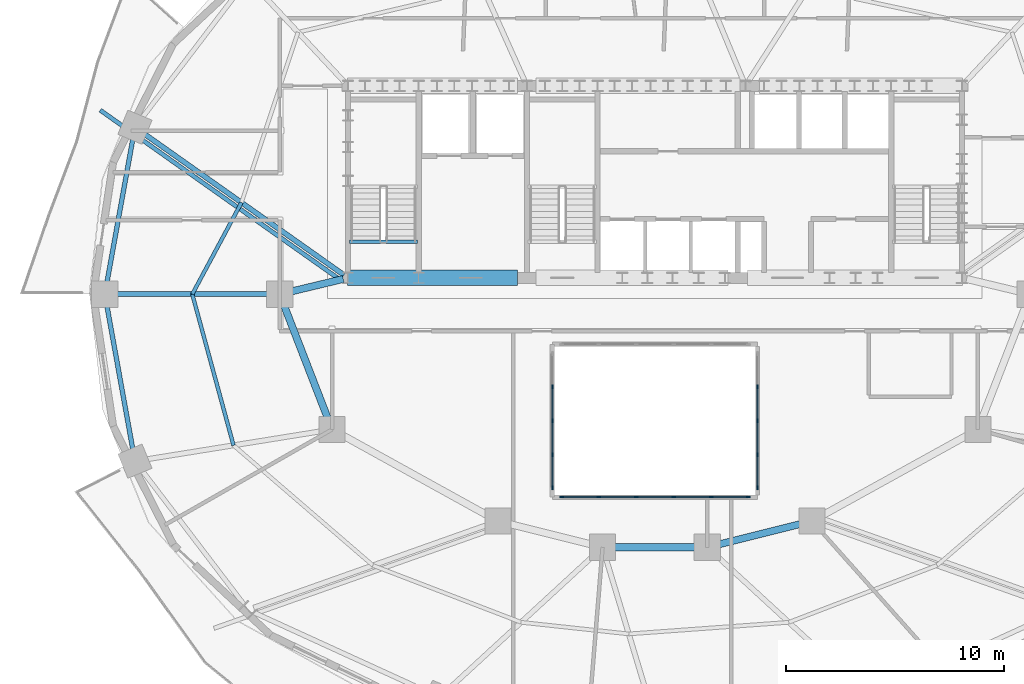
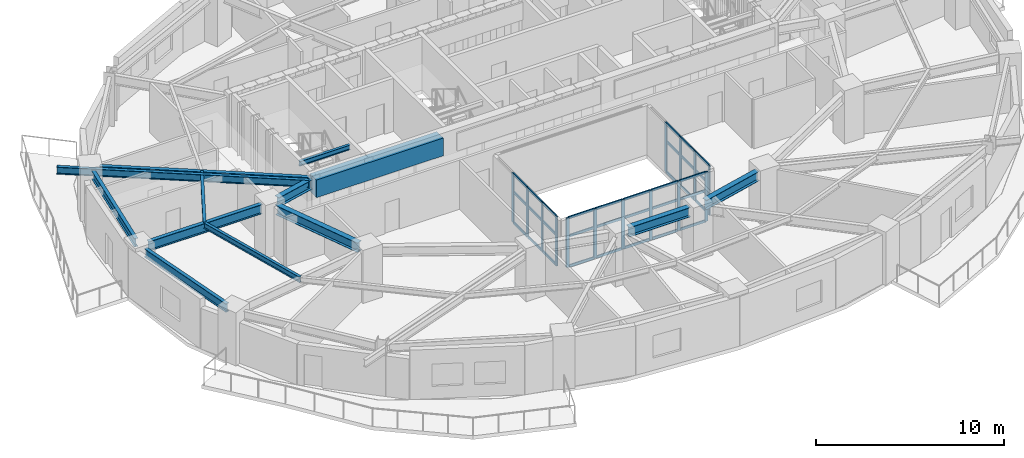
# One storey, part 2 of 13: 47 members, 13 beams, 3 elements without a shape of their own.
"""IFC4 building model written with IfcOpenShell, lengths in metres."""

from ifc_helpers import new_model, si_unit, direction, frame, origin, origin_2d, place, context, subcontext, project, spatial, rectangle, i_section, extrude, material, material_profile, profile_set, type_object, element, aggregate, save


model = new_model("IFC4")

# Units and contexts
model_context = context("Model", 3, precision=1e-05, world=origin(), true_north=direction((0.0, 1.0)))
body_context = subcontext(model_context, "Body", "Model", "MODEL_VIEW")
ifc_project = project(units=[si_unit("LENGTHUNIT", "METRE"), si_unit("AREAUNIT", "SQUARE_METRE"), si_unit("VOLUMEUNIT", "CUBIC_METRE"), si_unit("PLANEANGLEUNIT", "RADIAN"), si_unit("MASSUNIT", "GRAM", prefix="KILO")], contexts=[model_context])

# Site, building, storey
site_placement = place(None, origin())
site = spatial("IfcSite", under=ifc_project, at=site_placement, CompositionType="ELEMENT")
building_placement = place(site_placement, origin())
building = spatial("IfcBuilding", under=site, at=building_placement, Name="Haldorwick Loom Tower", CompositionType="ELEMENT")
storey_placement = place(building_placement, frame((0.0, 0.0, 142.550048828125)))
storey = spatial("IfcBuildingStorey", under=building, at=storey_placement, Name="L38", CompositionType="ELEMENT", Elevation=142.550048828125)

# Curtain wall, members
ifc_material_1 = material(Name="Thermally Broken Anodized Aluminium Curtain Wall Framing", Category="aluminium")
curtain_wall_type = type_object("IfcCurtainWallType", Name="ARC-CW-03", PredefinedType="NOTDEFINED", material=ifc_material_1)
curtain_wall_1_placement = place(storey_placement, origin())
curtain_wall_1 = element("IfcCurtainWall", 1, at=curtain_wall_1_placement, inside=storey, type_object=curtain_wall_type, Name="L38 Atrium Glazed Screen S", PredefinedType="NOTDEFINED")
ifc_material_profile_1 = material_profile(ifc_material_1, rectangle(XDim=0.06591796875, YDim=0.18505859375, at=origin_2d()), Name="ALU_MUL_66X185", Category="aluminium")
ifc_profile_set_1 = profile_set([ifc_material_profile_1], Name="Thermally Broken Anodized Aluminium Curtain Wall Framing")
member_type_1 = type_object("IfcMemberType", Name="ARC-CWM-03", PredefinedType="MULLION", material=ifc_profile_set_1)
member_1_placement = place(storey_placement, frame((40.26708984375, 16.699951171875, 0.0), z_axis=(0.0, 0.0, 1.0), x_axis=(0.0, -1.0, 0.0)))
member_1 = element("IfcMember", 2, at=member_1_placement, type_object=member_type_1, Name="CW-03 mullion 1", PredefinedType="MULLION", context=body_context, shape_type="SweptSolid", body=[
    extrude(rectangle(XDim=0.06591796875, YDim=0.18505859375, at=origin_2d()), origin(), (0.0, 0.0, 1.0), 3.2099609375),
])
member_2_placement = place(storey_placement, frame((38.580078125, 16.699951171875, 0.0), z_axis=(0.0, 0.0, 1.0), x_axis=(0.0, -1.0, 0.0)))
member_2 = element("IfcMember", 3, at=member_2_placement, type_object=member_type_1, Name="CW-03 mullion 2", PredefinedType="MULLION", context=body_context, shape_type="SweptSolid", body=[
    extrude(rectangle(XDim=0.06591796875, YDim=0.18505859375, at=origin_2d()), origin(), (0.0, 0.0, 1.0), 3.2099609375),
])
member_3_placement = place(storey_placement, frame((36.860107421875, 16.699951171875, 0.0), z_axis=(0.0, 0.0, 1.0), x_axis=(0.0, -1.0, 0.0)))
member_3 = element("IfcMember", 4, at=member_3_placement, type_object=member_type_1, Name="CW-03 mullion 3", PredefinedType="MULLION", context=body_context, shape_type="SweptSolid", body=[
    extrude(rectangle(XDim=0.06591796875, YDim=0.18505859375, at=origin_2d()), origin(), (0.0, 0.0, 1.0), 3.2099609375),
])
member_4_placement = place(storey_placement, frame((35.139892578125, 16.699951171875, 0.0), z_axis=(0.0, 0.0, 1.0), x_axis=(0.0, -1.0, 0.0)))
member_4 = element("IfcMember", 5, at=member_4_placement, type_object=member_type_1, Name="CW-03 mullion 4", PredefinedType="MULLION", context=body_context, shape_type="SweptSolid", body=[
    extrude(rectangle(XDim=0.06591796875, YDim=0.18505859375, at=origin_2d()), origin(), (0.0, 0.0, 1.0), 3.2099609375),
])
member_5_placement = place(storey_placement, frame((33.419921875, 16.699951171875, 0.0), z_axis=(0.0, 0.0, 1.0), x_axis=(0.0, -1.0, 0.0)))
member_5 = element("IfcMember", 6, at=member_5_placement, type_object=member_type_1, Name="CW-03 mullion 5", PredefinedType="MULLION", context=body_context, shape_type="SweptSolid", body=[
    extrude(rectangle(XDim=0.06591796875, YDim=0.18505859375, at=origin_2d()), origin(), (0.0, 0.0, 1.0), 3.2099609375),
])
member_6_placement = place(storey_placement, frame((31.73291015625, 16.699951171875, 0.0), z_axis=(0.0, 0.0, 1.0), x_axis=(0.0, -1.0, 0.0)))
member_6 = element("IfcMember", 7, at=member_6_placement, type_object=member_type_1, Name="CW-03 mullion 6", PredefinedType="MULLION", context=body_context, shape_type="SweptSolid", body=[
    extrude(rectangle(XDim=0.06591796875, YDim=0.18505859375, at=origin_2d()), origin(), (0.0, 0.0, 1.0), 3.2099609375),
])

curtain_wall_2_placement = place(storey_placement, origin())
curtain_wall_2 = element("IfcCurtainWall", 8, at=curtain_wall_2_placement, inside=storey, type_object=curtain_wall_type, Name="L38 Atrium Glazed Screen W", PredefinedType="NOTDEFINED")
member_7_placement = place(storey_placement, frame((31.300048828125, 17.133056640625, 0.0), z_axis=(0.0, 0.0, 1.0), x_axis=(-1.0, 0.0, 0.0)))
member_7 = element("IfcMember", 9, at=member_7_placement, type_object=member_type_1, Name="CW-03 mullion 1", PredefinedType="MULLION", context=body_context, shape_type="SweptSolid", body=[
    extrude(rectangle(XDim=0.06591796875, YDim=0.18505859375, at=origin_2d()), origin(), (0.0, 0.0, 1.0), 3.2099609375),
])
member_8_placement = place(storey_placement, frame((31.300048828125, 18.64990234375, 0.0), z_axis=(0.0, 0.0, 1.0), x_axis=(-1.0, 0.0, 0.0)))
member_8 = element("IfcMember", 10, at=member_8_placement, type_object=member_type_1, Name="CW-03 mullion 2", PredefinedType="MULLION", context=body_context, shape_type="SweptSolid", body=[
    extrude(rectangle(XDim=0.06591796875, YDim=0.18505859375, at=origin_2d()), origin(), (0.0, 0.0, 1.0), 3.2099609375),
])
member_9_placement = place(storey_placement, frame((31.300048828125, 20.199951171875, 0.0), z_axis=(0.0, 0.0, 1.0), x_axis=(-1.0, 0.0, 0.0)))
member_9 = element("IfcMember", 11, at=member_9_placement, type_object=member_type_1, Name="CW-03 mullion 3", PredefinedType="MULLION", context=body_context, shape_type="SweptSolid", body=[
    extrude(rectangle(XDim=0.06591796875, YDim=0.18505859375, at=origin_2d()), origin(), (0.0, 0.0, 1.0), 3.2099609375),
])
member_10_placement = place(storey_placement, frame((31.300048828125, 21.75, 0.0), z_axis=(0.0, 0.0, 1.0), x_axis=(-1.0, 0.0, 0.0)))
member_10 = element("IfcMember", 12, at=member_10_placement, type_object=member_type_1, Name="CW-03 mullion 4", PredefinedType="MULLION", context=body_context, shape_type="SweptSolid", body=[
    extrude(rectangle(XDim=0.06591796875, YDim=0.18505859375, at=origin_2d()), origin(), (0.0, 0.0, 1.0), 3.2099609375),
])

curtain_wall_3_placement = place(storey_placement, origin())
curtain_wall_3 = element("IfcCurtainWall", 13, at=curtain_wall_3_placement, inside=storey, type_object=curtain_wall_type, Name="L38 Atrium Glazed Screen E", PredefinedType="NOTDEFINED")
member_11_placement = place(storey_placement, frame((40.699951171875, 21.75, 0.0), z_axis=(0.0, 0.0, 1.0), x_axis=(1.0, 0.0, 0.0)))
member_11 = element("IfcMember", 14, at=member_11_placement, type_object=member_type_1, Name="CW-03 mullion 2", PredefinedType="MULLION", context=body_context, shape_type="SweptSolid", body=[
    extrude(rectangle(XDim=0.06591796875, YDim=0.18505859375, at=origin_2d()), origin(), (0.0, 0.0, 1.0), 3.2099609375),
])
member_12_placement = place(storey_placement, frame((40.699951171875, 20.199951171875, 0.0), z_axis=(0.0, 0.0, 1.0), x_axis=(1.0, 0.0, 0.0)))
member_12 = element("IfcMember", 15, at=member_12_placement, type_object=member_type_1, Name="CW-03 mullion 3", PredefinedType="MULLION", context=body_context, shape_type="SweptSolid", body=[
    extrude(rectangle(XDim=0.06591796875, YDim=0.18505859375, at=origin_2d()), origin(), (0.0, 0.0, 1.0), 3.2099609375),
])
member_13_placement = place(storey_placement, frame((40.699951171875, 18.64990234375, 0.0), z_axis=(0.0, 0.0, 1.0), x_axis=(1.0, 0.0, 0.0)))
member_13 = element("IfcMember", 16, at=member_13_placement, type_object=member_type_1, Name="CW-03 mullion 4", PredefinedType="MULLION", context=body_context, shape_type="SweptSolid", body=[
    extrude(rectangle(XDim=0.06591796875, YDim=0.18505859375, at=origin_2d()), origin(), (0.0, 0.0, 1.0), 3.2099609375),
])
member_14_placement = place(storey_placement, frame((40.699951171875, 17.133056640625, 0.0), z_axis=(0.0, 0.0, 1.0), x_axis=(1.0, 0.0, 0.0)))
member_14 = element("IfcMember", 17, at=member_14_placement, type_object=member_type_1, Name="CW-03 mullion 5", PredefinedType="MULLION", context=body_context, shape_type="SweptSolid", body=[
    extrude(rectangle(XDim=0.06591796875, YDim=0.18505859375, at=origin_2d()), origin(), (0.0, 0.0, 1.0), 3.2099609375),
])

# Member
ifc_material_profile_2 = material_profile(ifc_material_1, rectangle(XDim=0.06591796875, YDim=0.1650390625, at=origin_2d()), Name="ALU_TRN_66X165", Category="aluminium")
ifc_profile_set_2 = profile_set([ifc_material_profile_2], Name="Thermally Broken Anodized Aluminium Curtain Wall Framing")
member_type_2 = type_object("IfcMemberType", Name="ARC-CWT-03", PredefinedType="USERDEFINED", material=ifc_profile_set_2)
member_15_placement = place(storey_placement, frame((40.23388671875, 16.699951171875, 0.032958984375), z_axis=(-1.0, 0.0, 0.0), x_axis=(0.0, -1.0, 0.0)))
member_15 = element("IfcMember", 18, at=member_15_placement, type_object=member_type_2, Name="CW-03 transom 1.1", ObjectType="TRANSOM", PredefinedType="USERDEFINED", context=body_context, shape_type="SweptSolid", body=[
    extrude(rectangle(XDim=0.06591796875, YDim=0.1650390625, at=origin_2d()), origin(), (0.0, 0.0, 1.0), 1.620849609375),
])

member_16_placement = place(storey_placement, frame((40.23388671875, 16.699951171875, 2.0), z_axis=(-1.0, 0.0, 0.0), x_axis=(0.0, -1.0, 0.0)))
member_16 = element("IfcMember", 19, at=member_16_placement, type_object=member_type_2, Name="CW-03 transom 1.2", ObjectType="TRANSOM", PredefinedType="USERDEFINED", context=body_context, shape_type="SweptSolid", body=[
    extrude(rectangle(XDim=0.06591796875, YDim=0.1650390625, at=origin_2d()), origin(), (0.0, 0.0, 1.0), 1.620849609375),
])

member_17_placement = place(storey_placement, frame((40.23388671875, 16.699951171875, 3.177001953125), z_axis=(-1.0, 0.0, 0.0), x_axis=(0.0, -1.0, 0.0)))
member_17 = element("IfcMember", 20, at=member_17_placement, type_object=member_type_2, Name="CW-03 transom 1.3", ObjectType="TRANSOM", PredefinedType="USERDEFINED", context=body_context, shape_type="SweptSolid", body=[
    extrude(rectangle(XDim=0.06591796875, YDim=0.1650390625, at=origin_2d()), origin(), (0.0, 0.0, 1.0), 1.620849609375),
])

member_18_placement = place(storey_placement, frame((38.547119140625, 16.699951171875, 0.032958984375), z_axis=(-1.0, 0.0, 0.0), x_axis=(0.0, -1.0, 0.0)))
member_18 = element("IfcMember", 21, at=member_18_placement, type_object=member_type_2, Name="CW-03 transom 2.1", ObjectType="TRANSOM", PredefinedType="USERDEFINED", context=body_context, shape_type="SweptSolid", body=[
    extrude(rectangle(XDim=0.06591796875, YDim=0.1650390625, at=origin_2d()), origin(), (0.0, 0.0, 1.0), 1.654052734375),
])

member_19_placement = place(storey_placement, frame((38.547119140625, 16.699951171875, 2.0), z_axis=(-1.0, 0.0, 0.0), x_axis=(0.0, -1.0, 0.0)))
member_19 = element("IfcMember", 22, at=member_19_placement, type_object=member_type_2, Name="CW-03 transom 2.2", ObjectType="TRANSOM", PredefinedType="USERDEFINED", context=body_context, shape_type="SweptSolid", body=[
    extrude(rectangle(XDim=0.06591796875, YDim=0.1650390625, at=origin_2d()), origin(), (0.0, 0.0, 1.0), 1.654052734375),
])

member_20_placement = place(storey_placement, frame((38.547119140625, 16.699951171875, 3.177001953125), z_axis=(-1.0, 0.0, 0.0), x_axis=(0.0, -1.0, 0.0)))
member_20 = element("IfcMember", 23, at=member_20_placement, type_object=member_type_2, Name="CW-03 transom 2.3", ObjectType="TRANSOM", PredefinedType="USERDEFINED", context=body_context, shape_type="SweptSolid", body=[
    extrude(rectangle(XDim=0.06591796875, YDim=0.1650390625, at=origin_2d()), origin(), (0.0, 0.0, 1.0), 1.654052734375),
])

member_21_placement = place(storey_placement, frame((36.826904296875, 16.699951171875, 0.032958984375), z_axis=(-1.0, 0.0, 0.0), x_axis=(0.0, -1.0, 0.0)))
member_21 = element("IfcMember", 24, at=member_21_placement, type_object=member_type_2, Name="CW-03 transom 3.1", ObjectType="TRANSOM", PredefinedType="USERDEFINED", context=body_context, shape_type="SweptSolid", body=[
    extrude(rectangle(XDim=0.06591796875, YDim=0.1650390625, at=origin_2d()), origin(), (0.0, 0.0, 1.0), 1.65380859375),
])

member_22_placement = place(storey_placement, frame((36.826904296875, 16.699951171875, 2.0), z_axis=(-1.0, 0.0, 0.0), x_axis=(0.0, -1.0, 0.0)))
member_22 = element("IfcMember", 25, at=member_22_placement, type_object=member_type_2, Name="CW-03 transom 3.2", ObjectType="TRANSOM", PredefinedType="USERDEFINED", context=body_context, shape_type="SweptSolid", body=[
    extrude(rectangle(XDim=0.06591796875, YDim=0.1650390625, at=origin_2d()), origin(), (0.0, 0.0, 1.0), 1.65380859375),
])

member_23_placement = place(storey_placement, frame((36.826904296875, 16.699951171875, 3.177001953125), z_axis=(-1.0, 0.0, 0.0), x_axis=(0.0, -1.0, 0.0)))
member_23 = element("IfcMember", 26, at=member_23_placement, type_object=member_type_2, Name="CW-03 transom 3.3", ObjectType="TRANSOM", PredefinedType="USERDEFINED", context=body_context, shape_type="SweptSolid", body=[
    extrude(rectangle(XDim=0.06591796875, YDim=0.1650390625, at=origin_2d()), origin(), (0.0, 0.0, 1.0), 1.65380859375),
])

member_24_placement = place(storey_placement, frame((35.10693359375, 16.699951171875, 0.032958984375), z_axis=(-1.0, 0.0, 0.0), x_axis=(0.0, -1.0, 0.0)))
member_24 = element("IfcMember", 27, at=member_24_placement, type_object=member_type_2, Name="CW-03 transom 4.1", ObjectType="TRANSOM", PredefinedType="USERDEFINED", context=body_context, shape_type="SweptSolid", body=[
    extrude(rectangle(XDim=0.06591796875, YDim=0.1650390625, at=origin_2d()), origin(), (0.0, 0.0, 1.0), 1.654052734375),
])

member_25_placement = place(storey_placement, frame((35.10693359375, 16.699951171875, 2.0), z_axis=(-1.0, 0.0, 0.0), x_axis=(0.0, -1.0, 0.0)))
member_25 = element("IfcMember", 28, at=member_25_placement, type_object=member_type_2, Name="CW-03 transom 4.2", ObjectType="TRANSOM", PredefinedType="USERDEFINED", context=body_context, shape_type="SweptSolid", body=[
    extrude(rectangle(XDim=0.06591796875, YDim=0.1650390625, at=origin_2d()), origin(), (0.0, 0.0, 1.0), 1.654052734375),
])

member_26_placement = place(storey_placement, frame((35.10693359375, 16.699951171875, 3.177001953125), z_axis=(-1.0, 0.0, 0.0), x_axis=(0.0, -1.0, 0.0)))
member_26 = element("IfcMember", 29, at=member_26_placement, type_object=member_type_2, Name="CW-03 transom 4.3", ObjectType="TRANSOM", PredefinedType="USERDEFINED", context=body_context, shape_type="SweptSolid", body=[
    extrude(rectangle(XDim=0.06591796875, YDim=0.1650390625, at=origin_2d()), origin(), (0.0, 0.0, 1.0), 1.654052734375),
])

member_27_placement = place(storey_placement, frame((33.386962890625, 16.699951171875, 0.032958984375), z_axis=(-1.0, 0.0, 0.0), x_axis=(0.0, -1.0, 0.0)))
member_27 = element("IfcMember", 30, at=member_27_placement, type_object=member_type_2, Name="CW-03 transom 5.1", ObjectType="TRANSOM", PredefinedType="USERDEFINED", context=body_context, shape_type="SweptSolid", body=[
    extrude(rectangle(XDim=0.06591796875, YDim=0.1650390625, at=origin_2d()), origin(), (0.0, 0.0, 1.0), 1.620849609375),
])

member_28_placement = place(storey_placement, frame((33.386962890625, 16.699951171875, 2.0), z_axis=(-1.0, 0.0, 0.0), x_axis=(0.0, -1.0, 0.0)))
member_28 = element("IfcMember", 31, at=member_28_placement, type_object=member_type_2, Name="CW-03 transom 5.2", ObjectType="TRANSOM", PredefinedType="USERDEFINED", context=body_context, shape_type="SweptSolid", body=[
    extrude(rectangle(XDim=0.06591796875, YDim=0.1650390625, at=origin_2d()), origin(), (0.0, 0.0, 1.0), 1.620849609375),
])

member_29_placement = place(storey_placement, frame((33.386962890625, 16.699951171875, 3.177001953125), z_axis=(-1.0, 0.0, 0.0), x_axis=(0.0, -1.0, 0.0)))
member_29 = element("IfcMember", 32, at=member_29_placement, type_object=member_type_2, Name="CW-03 transom 5.3", ObjectType="TRANSOM", PredefinedType="USERDEFINED", context=body_context, shape_type="SweptSolid", body=[
    extrude(rectangle(XDim=0.06591796875, YDim=0.1650390625, at=origin_2d()), origin(), (0.0, 0.0, 1.0), 1.620849609375),
])

aggregate(curtain_wall_1, [member_1, member_2, member_3, member_4, member_5, member_6, member_15, member_16, member_17, member_18, member_19, member_20, member_21, member_22, member_23, member_24, member_25, member_26, member_27, member_28, member_29])

member_30_placement = place(storey_placement, frame((31.300048828125, 17.166015625, 0.032958984375), z_axis=(0.0, 1.0, 0.0), x_axis=(-1.0, 0.0, 0.0)))
member_30 = element("IfcMember", 33, at=member_30_placement, type_object=member_type_2, Name="CW-03 transom 1.1", ObjectType="TRANSOM", PredefinedType="USERDEFINED", context=body_context, shape_type="SweptSolid", body=[
    extrude(rectangle(XDim=0.06591796875, YDim=0.1650390625, at=origin_2d()), origin(), (0.0, 0.0, 1.0), 1.450927734375),
])

member_31_placement = place(storey_placement, frame((31.300048828125, 17.166015625, 2.0), z_axis=(0.0, 1.0, 0.0), x_axis=(-1.0, 0.0, 0.0)))
member_31 = element("IfcMember", 34, at=member_31_placement, type_object=member_type_2, Name="CW-03 transom 1.2", ObjectType="TRANSOM", PredefinedType="USERDEFINED", context=body_context, shape_type="SweptSolid", body=[
    extrude(rectangle(XDim=0.06591796875, YDim=0.1650390625, at=origin_2d()), origin(), (0.0, 0.0, 1.0), 1.450927734375),
])

member_32_placement = place(storey_placement, frame((31.300048828125, 17.166015625, 3.177001953125), z_axis=(0.0, 1.0, 0.0), x_axis=(-1.0, 0.0, 0.0)))
member_32 = element("IfcMember", 35, at=member_32_placement, type_object=member_type_2, Name="CW-03 transom 1.3", ObjectType="TRANSOM", PredefinedType="USERDEFINED", context=body_context, shape_type="SweptSolid", body=[
    extrude(rectangle(XDim=0.06591796875, YDim=0.1650390625, at=origin_2d()), origin(), (0.0, 0.0, 1.0), 1.450927734375),
])

member_33_placement = place(storey_placement, frame((31.300048828125, 18.68310546875, 0.032958984375), z_axis=(0.0, 1.0, 0.0), x_axis=(-1.0, 0.0, 0.0)))
member_33 = element("IfcMember", 36, at=member_33_placement, type_object=member_type_2, Name="CW-03 transom 2.1", ObjectType="TRANSOM", PredefinedType="USERDEFINED", context=body_context, shape_type="SweptSolid", body=[
    extrude(rectangle(XDim=0.06591796875, YDim=0.1650390625, at=origin_2d()), origin(), (0.0, 0.0, 1.0), 1.48388671875),
])

member_34_placement = place(storey_placement, frame((31.300048828125, 18.68310546875, 2.0), z_axis=(0.0, 1.0, 0.0), x_axis=(-1.0, 0.0, 0.0)))
member_34 = element("IfcMember", 37, at=member_34_placement, type_object=member_type_2, Name="CW-03 transom 2.2", ObjectType="TRANSOM", PredefinedType="USERDEFINED", context=body_context, shape_type="SweptSolid", body=[
    extrude(rectangle(XDim=0.06591796875, YDim=0.1650390625, at=origin_2d()), origin(), (0.0, 0.0, 1.0), 1.48388671875),
])

member_35_placement = place(storey_placement, frame((31.300048828125, 18.68310546875, 3.177001953125), z_axis=(0.0, 1.0, 0.0), x_axis=(-1.0, 0.0, 0.0)))
member_35 = element("IfcMember", 38, at=member_35_placement, type_object=member_type_2, Name="CW-03 transom 2.3", ObjectType="TRANSOM", PredefinedType="USERDEFINED", context=body_context, shape_type="SweptSolid", body=[
    extrude(rectangle(XDim=0.06591796875, YDim=0.1650390625, at=origin_2d()), origin(), (0.0, 0.0, 1.0), 1.48388671875),
])

member_36_placement = place(storey_placement, frame((31.300048828125, 20.23291015625, 0.032958984375), z_axis=(0.0, 1.0, 0.0), x_axis=(-1.0, 0.0, 0.0)))
member_36 = element("IfcMember", 39, at=member_36_placement, type_object=member_type_2, Name="CW-03 transom 3.1", ObjectType="TRANSOM", PredefinedType="USERDEFINED", context=body_context, shape_type="SweptSolid", body=[
    extrude(rectangle(XDim=0.06591796875, YDim=0.1650390625, at=origin_2d()), origin(), (0.0, 0.0, 1.0), 1.484130859375),
])

member_37_placement = place(storey_placement, frame((31.300048828125, 20.23291015625, 2.0), z_axis=(0.0, 1.0, 0.0), x_axis=(-1.0, 0.0, 0.0)))
member_37 = element("IfcMember", 40, at=member_37_placement, type_object=member_type_2, Name="CW-03 transom 3.2", ObjectType="TRANSOM", PredefinedType="USERDEFINED", context=body_context, shape_type="SweptSolid", body=[
    extrude(rectangle(XDim=0.06591796875, YDim=0.1650390625, at=origin_2d()), origin(), (0.0, 0.0, 1.0), 1.484130859375),
])

member_38_placement = place(storey_placement, frame((31.300048828125, 20.23291015625, 3.177001953125), z_axis=(0.0, 1.0, 0.0), x_axis=(-1.0, 0.0, 0.0)))
member_38 = element("IfcMember", 41, at=member_38_placement, type_object=member_type_2, Name="CW-03 transom 3.3", ObjectType="TRANSOM", PredefinedType="USERDEFINED", context=body_context, shape_type="SweptSolid", body=[
    extrude(rectangle(XDim=0.06591796875, YDim=0.1650390625, at=origin_2d()), origin(), (0.0, 0.0, 1.0), 1.484130859375),
])

aggregate(curtain_wall_2, [member_7, member_8, member_9, member_10, member_30, member_31, member_32, member_33, member_34, member_35, member_36, member_37, member_38])

member_39_placement = place(storey_placement, frame((40.699951171875, 21.717041015625, 0.032958984375), z_axis=(0.0, -1.0, 0.0), x_axis=(1.0, 0.0, 0.0)))
member_39 = element("IfcMember", 42, at=member_39_placement, type_object=member_type_2, Name="CW-03 transom 2.1", ObjectType="TRANSOM", PredefinedType="USERDEFINED", context=body_context, shape_type="SweptSolid", body=[
    extrude(rectangle(XDim=0.06591796875, YDim=0.1650390625, at=origin_2d()), origin(), (0.0, 0.0, 1.0), 1.484130859375),
])

member_40_placement = place(storey_placement, frame((40.699951171875, 21.717041015625, 2.0), z_axis=(0.0, -1.0, 0.0), x_axis=(1.0, 0.0, 0.0)))
member_40 = element("IfcMember", 43, at=member_40_placement, type_object=member_type_2, Name="CW-03 transom 2.2", ObjectType="TRANSOM", PredefinedType="USERDEFINED", context=body_context, shape_type="SweptSolid", body=[
    extrude(rectangle(XDim=0.06591796875, YDim=0.1650390625, at=origin_2d()), origin(), (0.0, 0.0, 1.0), 1.484130859375),
])

member_41_placement = place(storey_placement, frame((40.699951171875, 21.717041015625, 3.177001953125), z_axis=(0.0, -1.0, 0.0), x_axis=(1.0, 0.0, 0.0)))
member_41 = element("IfcMember", 44, at=member_41_placement, type_object=member_type_2, Name="CW-03 transom 2.3", ObjectType="TRANSOM", PredefinedType="USERDEFINED", context=body_context, shape_type="SweptSolid", body=[
    extrude(rectangle(XDim=0.06591796875, YDim=0.1650390625, at=origin_2d()), origin(), (0.0, 0.0, 1.0), 1.484130859375),
])

member_42_placement = place(storey_placement, frame((40.699951171875, 20.1669921875, 0.032958984375), z_axis=(0.0, -1.0, 0.0), x_axis=(1.0, 0.0, 0.0)))
member_42 = element("IfcMember", 45, at=member_42_placement, type_object=member_type_2, Name="CW-03 transom 3.1", ObjectType="TRANSOM", PredefinedType="USERDEFINED", context=body_context, shape_type="SweptSolid", body=[
    extrude(rectangle(XDim=0.06591796875, YDim=0.1650390625, at=origin_2d()), origin(), (0.0, 0.0, 1.0), 1.48388671875),
])

member_43_placement = place(storey_placement, frame((40.699951171875, 20.1669921875, 2.0), z_axis=(0.0, -1.0, 0.0), x_axis=(1.0, 0.0, 0.0)))
member_43 = element("IfcMember", 46, at=member_43_placement, type_object=member_type_2, Name="CW-03 transom 3.2", ObjectType="TRANSOM", PredefinedType="USERDEFINED", context=body_context, shape_type="SweptSolid", body=[
    extrude(rectangle(XDim=0.06591796875, YDim=0.1650390625, at=origin_2d()), origin(), (0.0, 0.0, 1.0), 1.48388671875),
])

member_44_placement = place(storey_placement, frame((40.699951171875, 20.1669921875, 3.177001953125), z_axis=(0.0, -1.0, 0.0), x_axis=(1.0, 0.0, 0.0)))
member_44 = element("IfcMember", 47, at=member_44_placement, type_object=member_type_2, Name="CW-03 transom 3.3", ObjectType="TRANSOM", PredefinedType="USERDEFINED", context=body_context, shape_type="SweptSolid", body=[
    extrude(rectangle(XDim=0.06591796875, YDim=0.1650390625, at=origin_2d()), origin(), (0.0, 0.0, 1.0), 1.48388671875),
])

member_45_placement = place(storey_placement, frame((40.699951171875, 18.616943359375, 0.032958984375), z_axis=(0.0, -1.0, 0.0), x_axis=(1.0, 0.0, 0.0)))
member_45 = element("IfcMember", 48, at=member_45_placement, type_object=member_type_2, Name="CW-03 transom 4.1", ObjectType="TRANSOM", PredefinedType="USERDEFINED", context=body_context, shape_type="SweptSolid", body=[
    extrude(rectangle(XDim=0.06591796875, YDim=0.1650390625, at=origin_2d()), origin(), (0.0, 0.0, 1.0), 1.450927734375),
])

member_46_placement = place(storey_placement, frame((40.699951171875, 18.616943359375, 2.0), z_axis=(0.0, -1.0, 0.0), x_axis=(1.0, 0.0, 0.0)))
member_46 = element("IfcMember", 49, at=member_46_placement, type_object=member_type_2, Name="CW-03 transom 4.2", ObjectType="TRANSOM", PredefinedType="USERDEFINED", context=body_context, shape_type="SweptSolid", body=[
    extrude(rectangle(XDim=0.06591796875, YDim=0.1650390625, at=origin_2d()), origin(), (0.0, 0.0, 1.0), 1.450927734375),
])

member_47_placement = place(storey_placement, frame((40.699951171875, 18.616943359375, 3.177001953125), z_axis=(0.0, -1.0, 0.0), x_axis=(1.0, 0.0, 0.0)))
member_47 = element("IfcMember", 50, at=member_47_placement, type_object=member_type_2, Name="CW-03 transom 4.3", ObjectType="TRANSOM", PredefinedType="USERDEFINED", context=body_context, shape_type="SweptSolid", body=[
    extrude(rectangle(XDim=0.06591796875, YDim=0.1650390625, at=origin_2d()), origin(), (0.0, 0.0, 1.0), 1.450927734375),
])

aggregate(curtain_wall_3, [member_11, member_12, member_13, member_14, member_39, member_40, member_41, member_42, member_43, member_44, member_45, member_46, member_47])

# Beams
ifc_material_2 = material(Name="Steel CSA G40.21 350W", Category="steel")
ifc_material_profile_3 = material_profile(ifc_material_2, i_section(OverallWidth=0.193115234375, OverallDepth=0.466064453125, WebThickness=0.011474609375, FlangeThickness=0.01904296875, at=origin_2d()), Name="W460X97", Category="steel")
ifc_profile_set_3 = profile_set([ifc_material_profile_3], Name="Steel CSA G40.21 350W")
beam_type_1 = type_object("IfcBeamType", Name="STR-BM-BAL460", PredefinedType="BEAM", material=ifc_profile_set_3)
beam_1_placement = place(storey_placement, frame((21.584716796875, 26.651123046875, 2.97705078125), z_axis=(-0.816570288691, 0.577246016554, 0.0), x_axis=(-0.577246016554, -0.816570288691, 0.0)))
element("IfcBeam", 51, at=beam_1_placement, inside=storey, type_object=beam_type_1, Name="L38 Continuous Back-Spanned Balcony Beam 3", PredefinedType="BEAM", context=body_context, shape_type="SweptSolid", body=[
    extrude(i_section(OverallWidth=0.193115234375, OverallDepth=0.466064453125, WebThickness=0.011474609375, FlangeThickness=0.01904296875, at=origin_2d()), origin(), (0.0, 0.0, 1.0), 13.485107421875),
])
ifc_material_3 = material(Name="Concrete C60 (60 MPa)", Category="concrete")
ifc_material_profile_4 = material_profile(ifc_material_3, rectangle(XDim=0.699951171875, YDim=1.14990234375, at=origin_2d()), Name="RC700X1150", Category="concrete")
ifc_profile_set_4 = profile_set([ifc_material_profile_4], Name="Concrete C60 (60 MPa)")
beam_type_2 = type_object("IfcBeamType", Name="STR-BM-CB1150", PredefinedType="LINTEL", material=ifc_profile_set_4)
beam_2_placement = place(storey_placement, frame((21.89990234375, 26.75, 2.635009765625), z_axis=(1.0, 0.0, 0.0), x_axis=(0.0, 1.0, 0.0)))
element("IfcBeam", 52, at=beam_2_placement, inside=storey, type_object=beam_type_2, Name="L38 Core Coupling Beam CB-S1", PredefinedType="LINTEL", context=body_context, shape_type="SweptSolid", body=[
    extrude(rectangle(XDim=0.699951171875, YDim=1.14990234375, at=origin_2d()), origin(), (0.0, 0.0, 1.0), 7.800048828125),
])
ifc_material_profile_5 = material_profile(ifc_material_2, i_section(OverallWidth=0.172119140625, OverallDepth=0.35791015625, WebThickness=0.0078125, FlangeThickness=0.01318359375, at=origin_2d()), Name="W360X57", Category="steel")
ifc_profile_set_5 = profile_set([ifc_material_profile_5], Name="Steel CSA G40.21 350W")
beam_type_3 = type_object("IfcBeamType", Name="STR-BM-J360", PredefinedType="JOIST", material=ifc_profile_set_5)
beam_3_placement = place(storey_placement, frame((17.046875, 30.201904296875, 3.031005859375), z_axis=(-0.472930162238, -0.881099915813, 0.0), x_axis=(0.881099915813, -0.472930162238, 0.0)))
element("IfcBeam", 53, at=beam_3_placement, inside=storey, type_object=beam_type_3, Name="L38 Mid-Bay Secondary Joist 8", PredefinedType="JOIST", context=body_context, shape_type="SweptSolid", body=[
    extrude(i_section(OverallWidth=0.172119140625, OverallDepth=0.35791015625, WebThickness=0.0078125, FlangeThickness=0.01318359375, at=origin_2d()), origin(), (0.0, 0.0, 1.0), 4.76904296875),
])
beam_4_placement = place(storey_placement, frame((14.79150390625, 26.0, 3.031005859375), z_axis=(0.263272762578, -0.964721437766, 0.0), x_axis=(0.964721437766, 0.263272762578, 0.0)))
element("IfcBeam", 54, at=beam_4_placement, inside=storey, type_object=beam_type_3, Name="L38 Mid-Bay Secondary Joist 9", PredefinedType="JOIST", context=body_context, shape_type="SweptSolid", body=[
    extrude(i_section(OverallWidth=0.172119140625, OverallDepth=0.35791015625, WebThickness=0.0078125, FlangeThickness=0.01318359375, at=origin_2d()), origin(), (0.0, 0.0, 1.0), 7.180419921875),
])
ifc_material_profile_6 = material_profile(ifc_material_2, i_section(OverallWidth=0.2119140625, OverallDepth=0.5439453125, WebThickness=0.01318359375, FlangeThickness=0.021240234375, at=origin_2d()), Name="W530X123", Category="steel")
ifc_profile_set_6 = profile_set([ifc_material_profile_6], Name="Steel CSA G40.21 350W")
beam_type_4 = type_object("IfcBeamType", Name="STR-BM-SP530", PredefinedType="SPANDREL", material=ifc_profile_set_6)
for number, where, z_axis, x_axis, name in (
    (55, (12.071533203125, 33.14208984375, 2.93798828125), (-0.177558730702, -0.984110205796, 0.0), (0.984110205796, -0.177558730702, 0.0), "L38 Perimeter Spandrel 8"),
    (56, (10.875244140625, 25.48828125, 2.93798828125), (0.177558730702, -0.984110205796, 0.0), (0.984110205796, 0.177558730702, 0.0), "L38 Perimeter Spandrel 9"),
):
    element("IfcBeam", number, at=place(storey_placement, frame(where, z_axis=z_axis, x_axis=x_axis)), inside=storey, type_object=beam_type_4, Name=name, PredefinedType="SPANDREL", context=body_context, shape_type="SweptSolid", body=[
        extrude(i_section(OverallWidth=0.2119140625, OverallDepth=0.5439453125, WebThickness=0.01318359375, FlangeThickness=0.021240234375, at=origin_2d()), origin(), (0.0, 0.0, 1.0), 6.737548828125),
    ])
ifc_material_profile_7 = material_profile(ifc_material_2, i_section(OverallWidth=0.166015625, OverallDepth=0.31298828125, WebThickness=0.006591796875, FlangeThickness=0.01123046875, at=origin_2d()), Name="W310X45", Category="steel")
ifc_profile_set_7 = profile_set([ifc_material_profile_7], Name="Steel CSA G40.21 350W")
beam_type_5 = type_object("IfcBeamType", Name="STR-BM-STRM", PredefinedType="BEAM", material=ifc_profile_set_7)
beam_5_placement = place(storey_placement, frame((21.989990234375, 28.39990234375, 3.053466796875), z_axis=(1.0, 0.0, 0.0), x_axis=(0.0, 1.0, 0.0)))
element("IfcBeam", 57, at=beam_5_placement, inside=storey, type_object=beam_type_5, Name="L38 Stair ST-01 Landing Edge Trimmer", PredefinedType="BEAM", context=body_context, shape_type="SweptSolid", body=[
    extrude(i_section(OverallWidth=0.166015625, OverallDepth=0.31298828125, WebThickness=0.006591796875, FlangeThickness=0.01123046875, at=origin_2d()), origin(), (0.0, 0.0, 1.0), 3.1201171875),
])
ifc_material_profile_8 = material_profile(ifc_material_2, i_section(OverallWidth=0.324951171875, OverallDepth=0.615966796875, WebThickness=0.013916015625, FlangeThickness=0.021484375, at=origin_2d()), Name="W610X174", Category="steel")
ifc_profile_set_8 = profile_set([ifc_material_profile_8], Name="Steel CSA G40.21 350W")
beam_type_6 = type_object("IfcBeamType", Name="STR-BM-W610A", PredefinedType="BEAM", material=ifc_profile_set_8)
beam_6_placement = place(storey_placement, frame((42.695556640625, 15.473876953125, 2.90185546875), z_axis=(-0.970142500145, -0.242535625036, 0.0), x_axis=(0.242535625036, -0.970142500145, 0.0)))
element("IfcBeam", 58, at=beam_6_placement, inside=storey, type_object=beam_type_6, Name="L38 Inner Ring Girder 4", PredefinedType="BEAM", context=body_context, shape_type="SweptSolid", body=[
    extrude(i_section(OverallWidth=0.324951171875, OverallDepth=0.615966796875, WebThickness=0.013916015625, FlangeThickness=0.021484375, at=origin_2d()), origin(), (0.0, 0.0, 1.0), 3.90771484375),
])
beam_7_placement = place(storey_placement, frame((37.8798828125, 14.39990234375, 2.90185546875), z_axis=(-1.0, 0.0, 0.0), x_axis=(0.0, -1.0, 0.0)))
element("IfcBeam", 59, at=beam_7_placement, inside=storey, type_object=beam_type_6, Name="L38 Inner Ring Girder 5", PredefinedType="BEAM", context=body_context, shape_type="SweptSolid", body=[
    extrude(i_section(OverallWidth=0.324951171875, OverallDepth=0.615966796875, WebThickness=0.013916015625, FlangeThickness=0.021484375, at=origin_2d()), origin(), (0.0, 0.0, 1.0), 3.759765625),
])
beam_8_placement = place(storey_placement, frame((21.01220703125, 20.284912109375, 2.90185546875), z_axis=(-0.360964792353, 0.93257944363, 0.0), x_axis=(-0.93257944363, -0.360964792353, 0.0)))
element("IfcBeam", 60, at=beam_8_placement, inside=storey, type_object=beam_type_6, Name="L38 Inner Ring Girder 8", PredefinedType="BEAM", context=body_context, shape_type="SweptSolid", body=[
    extrude(i_section(OverallWidth=0.324951171875, OverallDepth=0.615966796875, WebThickness=0.013916015625, FlangeThickness=0.021484375, at=origin_2d()), origin(), (0.0, 0.0, 1.0), 5.6083984375),
])
beam_9_placement = place(storey_placement, frame((19.3056640625, 26.12109375, 2.90185546875), z_axis=(0.97247055837, 0.233025777764, 0.0), x_axis=(-0.233025777764, 0.97247055837, 0.0)))
element("IfcBeam", 61, at=beam_9_placement, inside=storey, type_object=beam_type_6, Name="L38 Inner Ring Girder 9", PredefinedType="BEAM", context=body_context, shape_type="SweptSolid", body=[
    extrude(i_section(OverallWidth=0.324951171875, OverallDepth=0.615966796875, WebThickness=0.013916015625, FlangeThickness=0.021484375, at=origin_2d()), origin(), (0.0, 0.0, 1.0), 2.4736328125),
])
ifc_material_profile_9 = material_profile(ifc_material_2, i_section(OverallWidth=0.22998046875, OverallDepth=0.616943359375, WebThickness=0.01318359375, FlangeThickness=0.022216796875, at=origin_2d()), Name="W610X140", Category="steel")
ifc_profile_set_9 = profile_set([ifc_material_profile_9], Name="Steel CSA G40.21 350W")
beam_type_7 = type_object("IfcBeamType", Name="STR-BM-W610B", PredefinedType="BEAM", material=ifc_profile_set_9)
beam_10_placement = place(storey_placement, frame((21.746337890625, 26.8798828125, 2.9013671875), z_axis=(-0.816581567299, 0.577230061542, 0.0), x_axis=(-0.577230061542, -0.816581567299, 0.0)))
element("IfcBeam", 62, at=beam_10_placement, inside=storey, type_object=beam_type_7, Name="L38 Radial Floor Girder 8", PredefinedType="BEAM", context=body_context, shape_type="SweptSolid", body=[
    extrude(i_section(OverallWidth=0.22998046875, OverallDepth=0.616943359375, WebThickness=0.01318359375, FlangeThickness=0.022216796875, at=origin_2d()), origin(), (0.0, 0.0, 1.0), 11.215087890625),
])
beam_11_placement = place(storey_placement, frame((18.280029296875, 26.0, 2.9013671875), z_axis=(-1.0, 0.0, 0.0), x_axis=(0.0, -1.0, 0.0)))
element("IfcBeam", 63, at=beam_11_placement, inside=storey, type_object=beam_type_7, Name="L38 Radial Floor Girder 9", PredefinedType="BEAM", context=body_context, shape_type="SweptSolid", body=[
    extrude(i_section(OverallWidth=0.22998046875, OverallDepth=0.616943359375, WebThickness=0.01318359375, FlangeThickness=0.022216796875, at=origin_2d()), origin(), (0.0, 0.0, 1.0), 6.97705078125),
])

save(model, "model.ifc")
